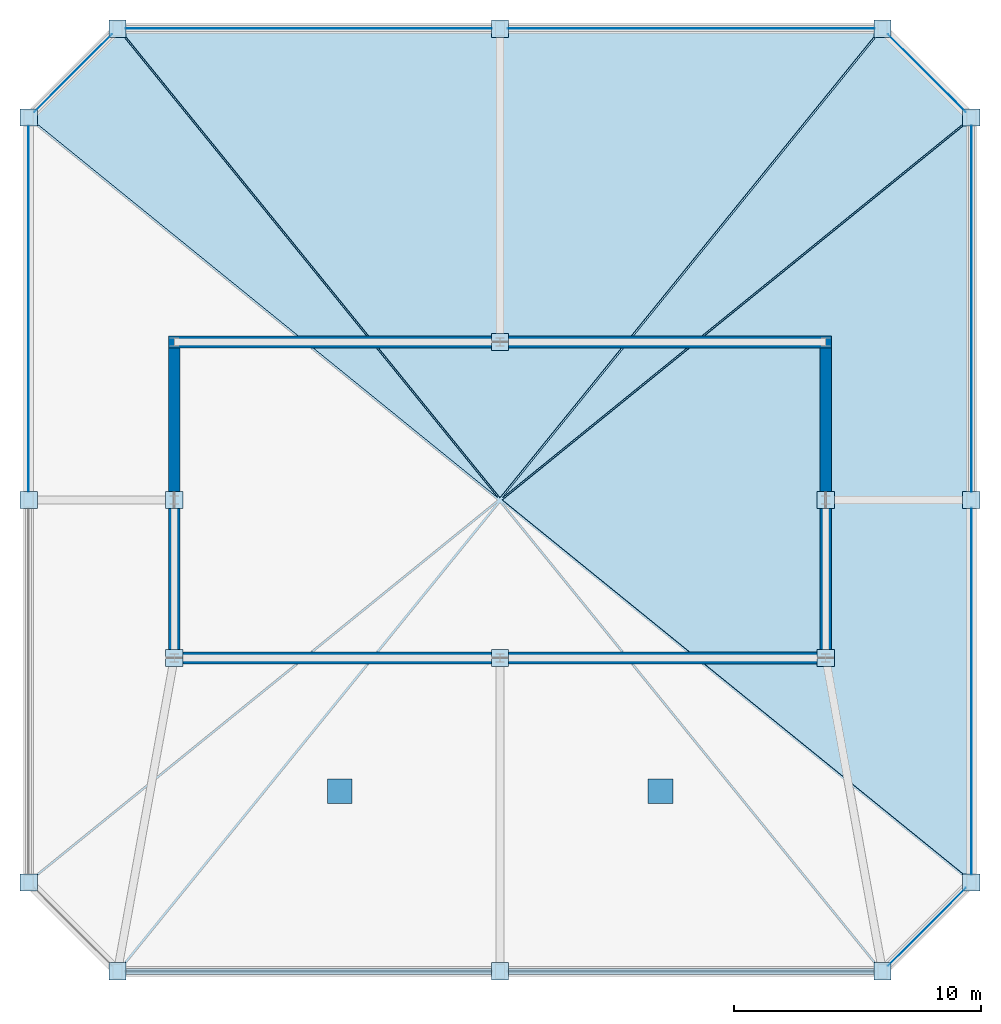
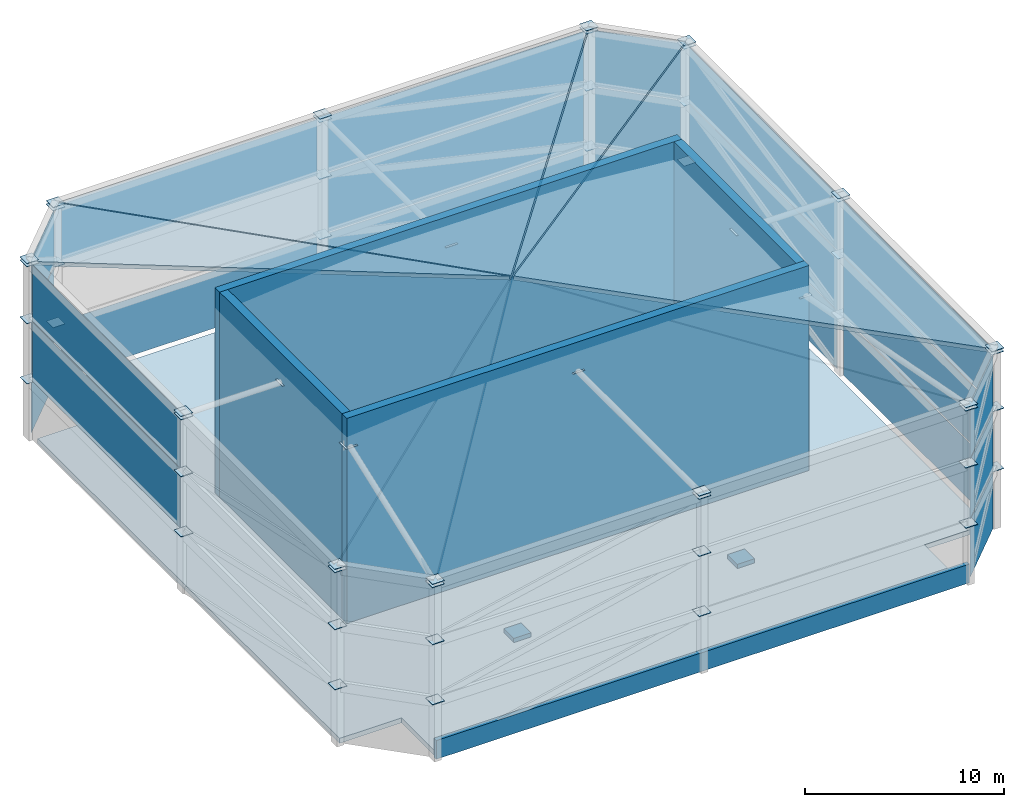
# One storey, part 4 of 6: 76 plates, 5 slabs, 5 walls, 2 discrete accessories, 2 openings.
"""IFC4 building model written with IfcOpenShell, lengths in metres."""

from ifc_helpers import new_model, si_unit, direction, frame, frame_2d, origin, origin_2d, place, context, subcontext, project, spatial, polyline, rectangle, outline, extrude, source, transform, mapped, material, layer, layer_set, type_object, element, fill, save


model = new_model("IFC4")

# Units and contexts
model_context = context("Model", 3, precision=1e-05, world=origin(), true_north=direction((0.0, 1.0)))
body_context = subcontext(model_context, "Body", "Model", "MODEL_VIEW")
ifc_project = project(units=[si_unit("LENGTHUNIT", "METRE"), si_unit("AREAUNIT", "SQUARE_METRE"), si_unit("VOLUMEUNIT", "CUBIC_METRE"), si_unit("PLANEANGLEUNIT", "RADIAN"), si_unit("MASSUNIT", "GRAM", prefix="KILO"), si_unit("THERMODYNAMICTEMPERATUREUNIT", "KELVIN"), si_unit("POWERUNIT", "WATT")], contexts=[model_context])

# Site, building, storey
site_placement = place(None, origin())
site = spatial("IfcSite", under=ifc_project, at=site_placement, CompositionType="ELEMENT")
building_placement = place(site_placement, origin())
building = spatial("IfcBuilding", under=site, at=building_placement, Name="Yuzanri Waterfront Tower", CompositionType="ELEMENT")
storey_placement = place(building_placement, frame((0.0, 0.0, 363.800048828125)))
storey = spatial("IfcBuildingStorey", under=building, at=storey_placement, Name="RF", CompositionType="ELEMENT", Elevation=363.800048828125)

# Slab, openings, discrete accessories
ifc_material_1 = material(Name="Concrete C45", Category="concrete")
ifc_layer_1 = layer(ifc_material_1, 0.300048828125)
ifc_layer_set_1 = layer_set([ifc_layer_1], Name="Concrete C45")
slab_type_1 = type_object("IfcSlabType", Name="Concrete C45 Crown Mechanical Enclosure Roof Deck Slab 300", PredefinedType="ROOF", material=ifc_layer_set_1)
slab_1_placement = place(storey_placement, frame((0.0, 0.0, -0.300048828125)))
slab_1 = element("IfcSlab", 1, at=slab_1_placement, inside=storey, type_object=slab_type_1, Name="RF Crown Enclosure Roof Deck Slab", PredefinedType="ROOF", context=body_context, shape_type="SweptSolid", body=[
    extrude(outline(polyline([(21.800048828125, 7.0), (52.199951171875, 7.0), (52.199951171875, 10.60009765625), (55.800048828125, 10.60009765625), (55.800048828125, 41.0), (52.199951171875, 41.0), (52.199951171875, 44.60009765625), (21.800048828125, 44.60009765625), (21.800048828125, 41.0), (18.199951171875, 41.0), (18.199951171875, 10.60009765625), (21.800048828125, 10.60009765625), (21.800048828125, 7.0)])), origin(), (0.0, 0.0, 1.0), 0.300048828125),
])
opening_1_placement = place(slab_1_placement, frame((30.5, 14.0, 0.0)))
opening_1 = element("IfcOpeningElement", 2, at=opening_1_placement, cuts=slab_1, Name="Opening RH-01", PredefinedType="OPENING", context=body_context, shape_type="SweptSolid", body=[
    extrude(rectangle(XDim=1.0, YDim=1.0, at=origin_2d()), frame((0.0, 0.0, -0.014892578125)), (0.0, 0.0, 1.0), 0.329833984375),
])
opening_2_placement = place(slab_1_placement, frame((43.5, 14.0, 0.0)))
opening_2 = element("IfcOpeningElement", 3, at=opening_2_placement, cuts=slab_1, Name="Opening RH-01", PredefinedType="OPENING", context=body_context, shape_type="SweptSolid", body=[
    extrude(rectangle(XDim=1.0, YDim=1.0, at=origin_2d()), frame((0.0, 0.0, -0.014892578125)), (0.0, 0.0, 1.0), 0.329833984375),
])
ifc_material_2 = material(Name="Anodized Architectural Bronze", Category="metal")
ifc_layer_2 = layer(ifc_material_2, 0.25)
ifc_layer_set_2 = layer_set([ifc_layer_2], Name="Anodized Architectural Bronze")
discrete_accessory_type = type_object("IfcDiscreteAccessoryType", Name="Anodized Bronze Insulated Roof Maintenance Access Hatch 1000x1000", PredefinedType="USERDEFINED", material=ifc_layer_set_2)
discrete_accessory_1_placement = place(opening_1_placement, frame((0.0, 0.0, 0.300048828125)))
discrete_accessory_1 = element("IfcDiscreteAccessory", 4, at=discrete_accessory_1_placement, inside=storey, type_object=discrete_accessory_type, Name="RF Roof Maintenance Access Hatch RH-01", ObjectType="ROOF ACCESS HATCH", PredefinedType="USERDEFINED", context=body_context, shape_type="SweptSolid", body=[
    extrude(rectangle(XDim=1.0, YDim=1.0, at=origin_2d()), origin(), (0.0, 0.0, 1.0), 0.25),
])
fill(opening_1, discrete_accessory_1)
discrete_accessory_2_placement = place(opening_2_placement, frame((0.0, 0.0, 0.300048828125)))
discrete_accessory_2 = element("IfcDiscreteAccessory", 5, at=discrete_accessory_2_placement, inside=storey, type_object=discrete_accessory_type, Name="RF Roof Maintenance Access Hatch RH-01", ObjectType="ROOF ACCESS HATCH", PredefinedType="USERDEFINED", context=body_context, shape_type="SweptSolid", body=[
    extrude(rectangle(XDim=1.0, YDim=1.0, at=origin_2d()), origin(), (0.0, 0.0, 1.0), 0.25),
])
fill(opening_2, discrete_accessory_2)

# Slabs
ifc_material_3 = material(Name="Precast Concrete C45", Category="concrete")
ifc_layer_3 = layer(ifc_material_3, 0.260009765625)
ifc_layer_set_3 = layer_set([ifc_layer_3], Name="Precast Concrete C45")
slab_type_2 = type_object("IfcSlabType", Name="Precast Concrete C45 Undulating Closed Lobed Crest Roof Slab 260", PredefinedType="ROOF", material=ifc_layer_set_3)
slab_2_placement = place(storey_placement, frame((56.049072265625, 10.424072265625, 10.80517578125), z_axis=(0.088652704369, -0.006428882377, 0.996041850265), x_axis=(0.0, 0.999979170818, 0.006454295537)))
element("IfcSlab", 6, at=slab_2_placement, inside=storey, type_object=slab_type_2, Name="RF Closed Lobed Crest Roof Facet 03", PredefinedType="ROOF", context=body_context, shape_type="SweptSolid", body=[
    extrude(outline(polyline([(0.0, 0.0), (30.752593676382, 0.0), (15.387181371009286, 19.022163540525668), (0.0, 0.0)])), origin(), (0.0, 0.0, -1.0), 0.260009765625),
])
slab_3_placement = place(storey_placement, frame((56.03955078125, 41.268310546875, 11.003662109375), z_axis=(0.021276072048, 0.076678168555, 0.996828865566), x_axis=(-0.706561358138, 0.706561358138, -0.039269509445)))
element("IfcSlab", 7, at=slab_3_placement, inside=storey, type_object=slab_type_2, Name="RF Closed Lobed Crest Roof Facet 04", PredefinedType="ROOF", context=body_context, shape_type="SweptSolid", body=[
    extrude(outline(polyline([(0.0, 0.0), (5.054464161344583, 2.1510571102112408e-16), (2.4610079262549056, 24.328625959217543), (0.0, 0.0)])), origin(), (0.0, 0.0, -1.0), 0.260009765625),
])
slab_4_placement = place(storey_placement, frame((52.3759765625, 44.84912109375, 10.80517578125), z_axis=(0.006428882377, 0.088652704369, 0.996041850265), x_axis=(-0.999979170818, 0.0, 0.006454295537)))
element("IfcSlab", 8, at=slab_4_placement, inside=storey, type_object=slab_type_2, Name="RF Closed Lobed Crest Roof Facet 05", PredefinedType="ROOF", context=body_context, shape_type="SweptSolid", body=[
    extrude(outline(polyline([(0.0, 0.0), (30.752593676382, 0.0), (15.387181371009286, 19.022163540525668), (0.0, 0.0)])), origin(), (0.0, 0.0, -1.0), 0.260009765625),
])
slab_5_placement = place(storey_placement, frame((21.53173828125, 44.839599609375, 11.003662109375), z_axis=(-0.076678168555, 0.021276072048, 0.996828865566), x_axis=(-0.706561358138, -0.706561358138, -0.039269509445)))
element("IfcSlab", 9, at=slab_5_placement, inside=storey, type_object=slab_type_2, Name="RF Closed Lobed Crest Roof Facet 06", PredefinedType="ROOF", context=body_context, shape_type="SweptSolid", body=[
    extrude(outline(polyline([(0.0, 0.0), (5.054464161344583, 2.1510571102112408e-16), (2.4610079262549056, 24.328625959217543), (0.0, 0.0)])), origin(), (0.0, 0.0, -1.0), 0.260009765625),
])

# Plates
ifc_material_4 = material(Name="Steel Q420GJC", Category="steel")
ifc_layer_4 = layer(ifc_material_4, 0.02490234375)
ifc_layer_set_4 = layer_set([ifc_layer_4], Name="Steel Q420GJC")
plate_type_1 = type_object("IfcPlateType", Name="Steel Q420GJC Crown Ring-Frame End-Cap Plate 25", PredefinedType="SHEET", material=ifc_layer_set_4)
shared_shape_1 = source(origin(), body_context, "Body", "SweptSolid", [
    extrude(rectangle(XDim=0.699951171875, YDim=0.699951171875, at=origin_2d()), origin(), (0.0, 0.0, 1.0), 0.02490234375),
])
for number, where, z_axis, x_axis, name in (
    (10, (21.5, 6.699951171875, 10.987548828125), (0.0, 0.0, 1.0), (1.0, 0.0, 0.0), "RF Crown Post Cap Plate CS1"),
    (11, (37.0, 6.699951171875, 10.987548828125), (0.0, 0.0, 1.0), (1.0, 0.0, 0.0), "RF Crown Post Cap Plate CS2"),
    (12, (52.5, 6.699951171875, 10.987548828125), (0.0, 0.0, 1.0), (1.0, 0.0, 0.0), "RF Crown Post Cap Plate CS3"),
    (13, (56.10009765625, 10.300048828125, 10.987548828125), (0.0, 0.0, 1.0), (1.0, 0.0, 0.0), "RF Crown Post Cap Plate CE1"),
    (14, (56.10009765625, 25.800048828125, 10.987548828125), (0.0, 0.0, 1.0), (1.0, 0.0, 0.0), "RF Crown Post Cap Plate CE2"),
    (15, (56.10009765625, 41.300048828125, 10.987548828125), (0.0, 0.0, 1.0), (1.0, 0.0, 0.0), "RF Crown Post Cap Plate CE3"),
    (16, (52.5, 44.89990234375, 10.987548828125), (0.0, 0.0, 1.0), (1.0, 0.0, 0.0), "RF Crown Post Cap Plate CN3"),
    (17, (37.0, 44.89990234375, 10.987548828125), (0.0, 0.0, 1.0), (1.0, 0.0, 0.0), "RF Crown Post Cap Plate CN2"),
    (18, (21.5, 44.89990234375, 10.987548828125), (0.0, 0.0, 1.0), (1.0, 0.0, 0.0), "RF Crown Post Cap Plate CN1"),
    (19, (17.89990234375, 41.300048828125, 10.987548828125), (0.0, 0.0, 1.0), (1.0, 0.0, 0.0), "RF Crown Post Cap Plate CW3"),
    (20, (17.89990234375, 25.800048828125, 10.987548828125), (0.0, 0.0, 1.0), (1.0, 0.0, 0.0), "RF Crown Post Cap Plate CW2"),
    (21, (17.89990234375, 10.300048828125, 10.987548828125), (0.0, 0.0, 1.0), (1.0, 0.0, 0.0), "RF Crown Post Cap Plate CW1"),
    (22, (21.5, 6.699951171875, 3.58740234375), (0.0, 0.0, 1.0), (1.0, 0.0, 0.0), "RF Crown Ring Node Plate T1 CS1"),
    (23, (37.0, 6.699951171875, 3.58740234375), (0.0, 0.0, 1.0), (1.0, 0.0, 0.0), "RF Crown Ring Node Plate T1 CS2"),
    (24, (52.5, 6.699951171875, 3.58740234375), (0.0, 0.0, 1.0), (1.0, 0.0, 0.0), "RF Crown Ring Node Plate T1 CS3"),
    (25, (56.10009765625, 10.300048828125, 3.58740234375), (0.0, 0.0, 1.0), (1.0, 0.0, 0.0), "RF Crown Ring Node Plate T1 CE1"),
    (26, (56.10009765625, 25.800048828125, 3.58740234375), (0.0, 0.0, 1.0), (1.0, 0.0, 0.0), "RF Crown Ring Node Plate T1 CE2"),
    (27, (56.10009765625, 41.300048828125, 3.58740234375), (0.0, 0.0, 1.0), (1.0, 0.0, 0.0), "RF Crown Ring Node Plate T1 CE3"),
    (28, (52.5, 44.89990234375, 3.58740234375), (0.0, 0.0, 1.0), (1.0, 0.0, 0.0), "RF Crown Ring Node Plate T1 CN3"),
    (29, (37.0, 44.89990234375, 3.58740234375), (0.0, 0.0, 1.0), (1.0, 0.0, 0.0), "RF Crown Ring Node Plate T1 CN2"),
    (30, (21.5, 44.89990234375, 3.58740234375), (0.0, 0.0, 1.0), (1.0, 0.0, 0.0), "RF Crown Ring Node Plate T1 CN1"),
    (31, (17.89990234375, 41.300048828125, 3.58740234375), (0.0, 0.0, 1.0), (1.0, 0.0, 0.0), "RF Crown Ring Node Plate T1 CW3"),
    (32, (17.89990234375, 25.800048828125, 3.58740234375), (0.0, 0.0, 1.0), (1.0, 0.0, 0.0), "RF Crown Ring Node Plate T1 CW2"),
    (33, (17.89990234375, 10.300048828125, 3.58740234375), (0.0, 0.0, 1.0), (1.0, 0.0, 0.0), "RF Crown Ring Node Plate T1 CW1"),
    (34, (21.5, 6.699951171875, 7.28759765625), (0.0, 0.0, 1.0), (1.0, 0.0, 0.0), "RF Crown Ring Node Plate T2 CS1"),
    (35, (37.0, 6.699951171875, 7.28759765625), (0.0, 0.0, 1.0), (1.0, 0.0, 0.0), "RF Crown Ring Node Plate T2 CS2"),
    (36, (52.5, 6.699951171875, 7.28759765625), (0.0, 0.0, 1.0), (1.0, 0.0, 0.0), "RF Crown Ring Node Plate T2 CS3"),
    (37, (56.10009765625, 10.300048828125, 7.28759765625), (0.0, 0.0, 1.0), (1.0, 0.0, 0.0), "RF Crown Ring Node Plate T2 CE1"),
    (38, (56.10009765625, 25.800048828125, 7.28759765625), (0.0, 0.0, 1.0), (1.0, 0.0, 0.0), "RF Crown Ring Node Plate T2 CE2"),
    (39, (56.10009765625, 41.300048828125, 7.28759765625), (0.0, 0.0, 1.0), (1.0, 0.0, 0.0), "RF Crown Ring Node Plate T2 CE3"),
    (40, (52.5, 44.89990234375, 7.28759765625), (0.0, 0.0, 1.0), (1.0, 0.0, 0.0), "RF Crown Ring Node Plate T2 CN3"),
    (41, (37.0, 44.89990234375, 7.28759765625), (0.0, 0.0, 1.0), (1.0, 0.0, 0.0), "RF Crown Ring Node Plate T2 CN2"),
    (42, (21.5, 44.89990234375, 7.28759765625), (0.0, 0.0, 1.0), (1.0, 0.0, 0.0), "RF Crown Ring Node Plate T2 CN1"),
    (43, (17.89990234375, 41.300048828125, 7.28759765625), (0.0, 0.0, 1.0), (1.0, 0.0, 0.0), "RF Crown Ring Node Plate T2 CW3"),
    (44, (17.89990234375, 25.800048828125, 7.28759765625), (0.0, 0.0, 1.0), (1.0, 0.0, 0.0), "RF Crown Ring Node Plate T2 CW2"),
    (45, (17.89990234375, 10.300048828125, 7.28759765625), (0.0, 0.0, 1.0), (1.0, 0.0, 0.0), "RF Crown Ring Node Plate T2 CW1"),
    (46, (21.5, 6.699951171875, 10.78759765625), (0.0, 0.0, 1.0), (1.0, 0.0, 0.0), "RF Crown Ring Node Plate T3 CS1"),
    (47, (37.0, 6.699951171875, 10.78759765625), (0.0, 0.0, 1.0), (1.0, 0.0, 0.0), "RF Crown Ring Node Plate T3 CS2"),
    (48, (52.5, 6.699951171875, 10.78759765625), (0.0, 0.0, 1.0), (1.0, 0.0, 0.0), "RF Crown Ring Node Plate T3 CS3"),
    (49, (56.10009765625, 10.300048828125, 10.78759765625), (0.0, 0.0, 1.0), (1.0, 0.0, 0.0), "RF Crown Ring Node Plate T3 CE1"),
    (50, (56.10009765625, 25.800048828125, 10.78759765625), (0.0, 0.0, 1.0), (1.0, 0.0, 0.0), "RF Crown Ring Node Plate T3 CE2"),
    (51, (56.10009765625, 41.300048828125, 10.78759765625), (0.0, 0.0, 1.0), (1.0, 0.0, 0.0), "RF Crown Ring Node Plate T3 CE3"),
    (52, (52.5, 44.89990234375, 10.78759765625), (0.0, 0.0, 1.0), (1.0, 0.0, 0.0), "RF Crown Ring Node Plate T3 CN3"),
    (53, (37.0, 44.89990234375, 10.78759765625), (0.0, 0.0, 1.0), (1.0, 0.0, 0.0), "RF Crown Ring Node Plate T3 CN2"),
    (54, (21.5, 44.89990234375, 10.78759765625), (0.0, 0.0, 1.0), (1.0, 0.0, 0.0), "RF Crown Ring Node Plate T3 CN1"),
    (55, (17.89990234375, 41.300048828125, 10.78759765625), (0.0, 0.0, 1.0), (1.0, 0.0, 0.0), "RF Crown Ring Node Plate T3 CW3"),
    (56, (17.89990234375, 25.800048828125, 10.78759765625), (0.0, 0.0, 1.0), (1.0, 0.0, 0.0), "RF Crown Ring Node Plate T3 CW2"),
    (57, (17.89990234375, 10.300048828125, 10.78759765625), (0.0, 0.0, 1.0), (1.0, 0.0, 0.0), "RF Crown Ring Node Plate T3 CW1"),
    (58, (37.0, 19.39990234375, 10.78759765625), (0.0, 0.0, 1.0), (1.0, 0.0, 0.0), "RF Radial Strut Core Cap S"),
    (59, (37.0, 32.199951171875, 10.78759765625), (0.0, 0.0, 1.0), (1.0, 0.0, 0.0), "RF Radial Strut Core Cap N"),
    (60, (23.800048828125, 25.800048828125, 10.78759765625), (0.0, 0.0, 1.0), (1.0, 0.0, 0.0), "RF Radial Strut Core Cap W"),
    (61, (50.199951171875, 25.800048828125, 10.78759765625), (0.0, 0.0, 1.0), (1.0, 0.0, 0.0), "RF Radial Strut Core Cap E"),
    (62, (23.800048828125, 19.39990234375, 10.78759765625), (0.0, 0.0, 1.0), (1.0, 0.0, 0.0), "RF Radial Strut Core Cap SW"),
    (63, (50.199951171875, 19.39990234375, 10.78759765625), (0.0, 0.0, 1.0), (1.0, 0.0, 0.0), "RF Radial Strut Core Cap SE"),
):
    element("IfcPlate", number, at=place(storey_placement, frame(where, z_axis=z_axis, x_axis=x_axis)), inside=storey, type_object=plate_type_1, Name=name, PredefinedType="SHEET", context=body_context, shape_type="MappedRepresentation", body=[
        mapped(shared_shape_1, transform((0.0, 0.0, 0.0), scale=1.0)),
    ])
ifc_material_5 = material(Name="Anodized Architectural Bronze", Category="metal")
ifc_layer_5 = layer(ifc_material_5, 0.01806640625)
ifc_layer_set_5 = layer_set([ifc_layer_5], Name="Anodized Architectural Bronze")
plate_type_2 = type_object("IfcPlateType", Name="Perforated Bronze Crown Acoustic Screen Panel 18", PredefinedType="SHEET", material=ifc_layer_set_5)
shared_shape_2 = source(origin(), body_context, "Body", "SweptSolid", [
    extrude(rectangle(XDim=14.860107421875, YDim=0.01806640625, at=origin_2d()), origin(), (0.0, 0.0, 1.0), 3.52001953125),
])
for number, where, z_axis, x_axis, name in (
    (64, (56.10009765625, 18.050048828125, 0.0400390625), (0.0, 0.0, 1.0), (0.0, 1.0, 0.0), "RF Crown Perforated Bronze Screen Tier 1 CE1-CE2"),
    (65, (56.10009765625, 33.550048828125, 0.0400390625), (0.0, 0.0, 1.0), (0.0, 1.0, 0.0), "RF Crown Perforated Bronze Screen Tier 1 CE2-CE3"),
    (66, (44.75, 44.89990234375, 0.0400390625), (0.0, 0.0, 1.0), (-1.0, 0.0, 0.0), "RF Crown Perforated Bronze Screen Tier 1 CN3-CN2"),
    (67, (29.25, 44.89990234375, 0.0400390625), (0.0, 0.0, 1.0), (-1.0, 0.0, 0.0), "RF Crown Perforated Bronze Screen Tier 1 CN2-CN1"),
):
    element("IfcPlate", number, at=place(storey_placement, frame(where, z_axis=z_axis, x_axis=x_axis)), inside=storey, type_object=plate_type_2, Name=name, PredefinedType="SHEET", context=body_context, shape_type="MappedRepresentation", body=[
        mapped(shared_shape_2, transform((0.0, 0.0, 0.0), scale=1.0)),
    ])
shared_shape_3 = source(origin(), body_context, "Body", "SweptSolid", [
    extrude(rectangle(XDim=4.451171875, YDim=0.01806640625, at=origin_2d()), origin(), (0.0, 0.0, 1.0), 3.52001953125),
])
for number, where, z_axis, x_axis, name in (
    (68, (54.300048828125, 8.5, 0.0400390625), (0.0, 0.0, 1.0), (0.707106781187, 0.707106781187, 0.0), "RF Crown Perforated Bronze Screen Tier 1 CS3-CE1"),
    (69, (54.300048828125, 43.10009765625, 0.0400390625), (0.0, 0.0, 1.0), (-0.707106781187, 0.707106781187, 0.0), "RF Crown Perforated Bronze Screen Tier 1 CE3-CN3"),
    (70, (19.699951171875, 43.10009765625, 0.0400390625), (0.0, 0.0, 1.0), (-0.707106781187, -0.707106781187, 0.0), "RF Crown Perforated Bronze Screen Tier 1 CN1-CW3"),
):
    element("IfcPlate", number, at=place(storey_placement, frame(where, z_axis=z_axis, x_axis=x_axis)), inside=storey, type_object=plate_type_2, Name=name, PredefinedType="SHEET", context=body_context, shape_type="MappedRepresentation", body=[
        mapped(shared_shape_3, transform((0.0, 0.0, 0.0), scale=1.0)),
    ])
shared_shape_4 = source(origin(), body_context, "Body", "SweptSolid", [
    extrude(rectangle(XDim=14.860107421875, YDim=0.01806640625, at=origin_2d()), origin(), (0.0, 0.0, 1.0), 3.6201171875),
])
for number, where, z_axis, x_axis, name in (
    (71, (56.10009765625, 18.050048828125, 3.639892578125), (0.0, 0.0, 1.0), (0.0, 1.0, 0.0), "RF Crown Perforated Bronze Screen Tier 2 CE1-CE2"),
    (72, (56.10009765625, 33.550048828125, 3.639892578125), (0.0, 0.0, 1.0), (0.0, 1.0, 0.0), "RF Crown Perforated Bronze Screen Tier 2 CE2-CE3"),
    (73, (44.75, 44.89990234375, 3.639892578125), (0.0, 0.0, 1.0), (-1.0, 0.0, 0.0), "RF Crown Perforated Bronze Screen Tier 2 CN3-CN2"),
    (74, (17.89990234375, 33.550048828125, 3.639892578125), (0.0, 0.0, 1.0), (0.0, -1.0, 0.0), "RF Crown Perforated Bronze Screen Tier 2 CW3-CW2"),
):
    element("IfcPlate", number, at=place(storey_placement, frame(where, z_axis=z_axis, x_axis=x_axis)), inside=storey, type_object=plate_type_2, Name=name, PredefinedType="SHEET", context=body_context, shape_type="MappedRepresentation", body=[
        mapped(shared_shape_4, transform((0.0, 0.0, 0.0), scale=1.0)),
    ])
shared_shape_5 = source(origin(), body_context, "Body", "SweptSolid", [
    extrude(rectangle(XDim=4.451171875, YDim=0.01806640625, at=origin_2d()), origin(), (0.0, 0.0, 1.0), 3.6201171875),
])
for number, where, z_axis, x_axis, name in (
    (75, (54.300048828125, 8.5, 3.639892578125), (0.0, 0.0, 1.0), (0.707106781187, 0.707106781187, 0.0), "RF Crown Perforated Bronze Screen Tier 2 CS3-CE1"),
    (76, (54.300048828125, 43.10009765625, 3.639892578125), (0.0, 0.0, 1.0), (-0.707106781187, 0.707106781187, 0.0), "RF Crown Perforated Bronze Screen Tier 2 CE3-CN3"),
    (77, (19.699951171875, 43.10009765625, 3.639892578125), (0.0, 0.0, 1.0), (-0.707106781187, -0.707106781187, 0.0), "RF Crown Perforated Bronze Screen Tier 2 CN1-CW3"),
):
    element("IfcPlate", number, at=place(storey_placement, frame(where, z_axis=z_axis, x_axis=x_axis)), inside=storey, type_object=plate_type_2, Name=name, PredefinedType="SHEET", context=body_context, shape_type="MappedRepresentation", body=[
        mapped(shared_shape_5, transform((0.0, 0.0, 0.0), scale=1.0)),
    ])
shared_shape_6 = source(origin(), body_context, "Body", "SweptSolid", [
    extrude(rectangle(XDim=14.860107421875, YDim=0.01806640625, at=origin_2d()), origin(), (0.0, 0.0, 1.0), 3.419921875),
])
for number, where, z_axis, x_axis, name in (
    (78, (56.10009765625, 18.050048828125, 7.340087890625), (0.0, 0.0, 1.0), (0.0, 1.0, 0.0), "RF Crown Perforated Bronze Screen Tier 3 CE1-CE2"),
    (79, (56.10009765625, 33.550048828125, 7.340087890625), (0.0, 0.0, 1.0), (0.0, 1.0, 0.0), "RF Crown Perforated Bronze Screen Tier 3 CE2-CE3"),
    (80, (44.75, 44.89990234375, 7.340087890625), (0.0, 0.0, 1.0), (-1.0, 0.0, 0.0), "RF Crown Perforated Bronze Screen Tier 3 CN3-CN2"),
    (81, (29.25, 44.89990234375, 7.340087890625), (0.0, 0.0, 1.0), (-1.0, 0.0, 0.0), "RF Crown Perforated Bronze Screen Tier 3 CN2-CN1"),
    (82, (17.89990234375, 33.550048828125, 7.340087890625), (0.0, 0.0, 1.0), (0.0, -1.0, 0.0), "RF Crown Perforated Bronze Screen Tier 3 CW3-CW2"),
):
    element("IfcPlate", number, at=place(storey_placement, frame(where, z_axis=z_axis, x_axis=x_axis)), inside=storey, type_object=plate_type_2, Name=name, PredefinedType="SHEET", context=body_context, shape_type="MappedRepresentation", body=[
        mapped(shared_shape_6, transform((0.0, 0.0, 0.0), scale=1.0)),
    ])
shared_shape_7 = source(origin(), body_context, "Body", "SweptSolid", [
    extrude(rectangle(XDim=4.451171875, YDim=0.01806640625, at=origin_2d()), origin(), (0.0, 0.0, 1.0), 3.419921875),
])
for number, where, z_axis, x_axis, name in (
    (83, (54.300048828125, 8.5, 7.340087890625), (0.0, 0.0, 1.0), (0.707106781187, 0.707106781187, 0.0), "RF Crown Perforated Bronze Screen Tier 3 CS3-CE1"),
    (84, (54.300048828125, 43.10009765625, 7.340087890625), (0.0, 0.0, 1.0), (-0.707106781187, 0.707106781187, 0.0), "RF Crown Perforated Bronze Screen Tier 3 CE3-CN3"),
    (85, (19.699951171875, 43.10009765625, 7.340087890625), (0.0, 0.0, 1.0), (-0.707106781187, -0.707106781187, 0.0), "RF Crown Perforated Bronze Screen Tier 3 CN1-CW3"),
):
    element("IfcPlate", number, at=place(storey_placement, frame(where, z_axis=z_axis, x_axis=x_axis)), inside=storey, type_object=plate_type_2, Name=name, PredefinedType="SHEET", context=body_context, shape_type="MappedRepresentation", body=[
        mapped(shared_shape_7, transform((0.0, 0.0, 0.0), scale=1.0)),
    ])

# Walls
ifc_material_6 = material(Name="Concrete C45", Category="concrete")
ifc_layer_6 = layer(ifc_material_6, 0.47998046875)
ifc_layer_set_6 = layer_set([ifc_layer_6], Name="Concrete C45")
wall_type_1 = type_object("IfcWallType", Name="Concrete C45 High-Rise Core Shear Wall 480", PredefinedType="SHEAR", material=ifc_layer_set_6)
shared_shape_8 = source(origin(), body_context, "Body", "SweptSolid", [
    extrude(rectangle(XDim=26.8798828125, YDim=0.47998046875, at=frame_2d((13.43994140625, 0.0))), origin(), (0.0, 0.0, 1.0), 12.599853515625),
])
for number, where, z_axis, x_axis, name in (
    (86, (23.56005859375, 19.39990234375, 0.0), (0.0, 0.0, 1.0), (1.0, 0.0, 0.0), "RF Core South Shear Wall"),
    (87, (23.56005859375, 32.199951171875, 0.0), (0.0, 0.0, 1.0), (1.0, 0.0, 0.0), "RF Core North Shear Wall"),
):
    element("IfcWall", number, at=place(storey_placement, frame(where, z_axis=z_axis, x_axis=x_axis)), inside=storey, type_object=wall_type_1, Name=name, PredefinedType="SHEAR", context=body_context, shape_type="MappedRepresentation", body=[
        mapped(shared_shape_8, transform((0.0, 0.0, 0.0), scale=1.0)),
    ])
shared_shape_9 = source(origin(), body_context, "Body", "SweptSolid", [
    extrude(rectangle(XDim=12.320068359375, YDim=0.47998046875, at=frame_2d((6.16015625, 0.0))), origin(), (0.0, 0.0, 1.0), 12.599853515625),
])
for number, where, z_axis, x_axis, name in (
    (88, (23.800048828125, 19.639892578125, 0.0), (0.0, 0.0, 1.0), (0.0, 1.0, 0.0), "RF Core West Shear Wall"),
    (89, (50.199951171875, 19.639892578125, 0.0), (0.0, 0.0, 1.0), (0.0, 1.0, 0.0), "RF Core East Shear Wall"),
):
    element("IfcWall", number, at=place(storey_placement, frame(where, z_axis=z_axis, x_axis=x_axis)), inside=storey, type_object=wall_type_1, Name=name, PredefinedType="SHEAR", context=body_context, shape_type="MappedRepresentation", body=[
        mapped(shared_shape_9, transform((0.0, 0.0, 0.0), scale=1.0)),
    ])
ifc_material_7 = material(Name="Concrete C40", Category="concrete")
ifc_layer_7 = layer(ifc_material_7, 0.25)
ifc_layer_set_7 = layer_set([ifc_layer_7], Name="Concrete C40")
wall_type_2 = type_object("IfcWallType", Name="Concrete C40 Roof Parapet Upstand Wall 250", PredefinedType="PARAPET", material=ifc_layer_set_7)
shared_shape_10 = source(origin(), body_context, "Body", "SweptSolid", [
    extrude(rectangle(XDim=31.0, YDim=0.25, at=frame_2d((15.5, 0.0))), origin(), (0.0, 0.0, 1.0), 1.14990234375),
])
wall_placement = place(storey_placement, frame((21.5, 6.699951171875, 0.0), z_axis=(0.0, 0.0, 1.0), x_axis=(1.0, 0.0, 0.0)))
element("IfcWall", 90, at=wall_placement, inside=storey, type_object=wall_type_2, Name="RF Crown Maintenance Parapet Upstand", PredefinedType="PARAPET", context=body_context, shape_type="MappedRepresentation", body=[
    mapped(shared_shape_10, transform((0.0, 0.0, 0.0), scale=1.0)),
])

save(model, "model.ifc")
